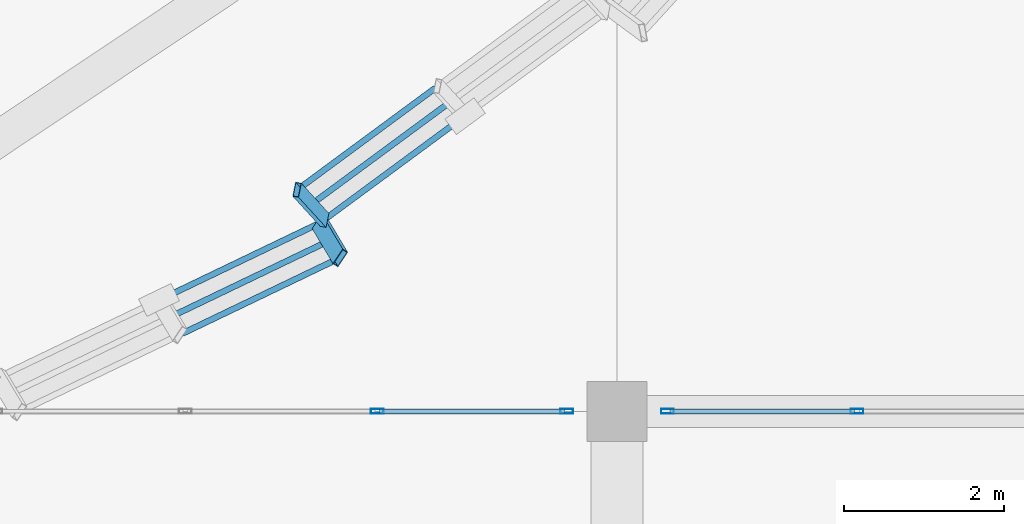
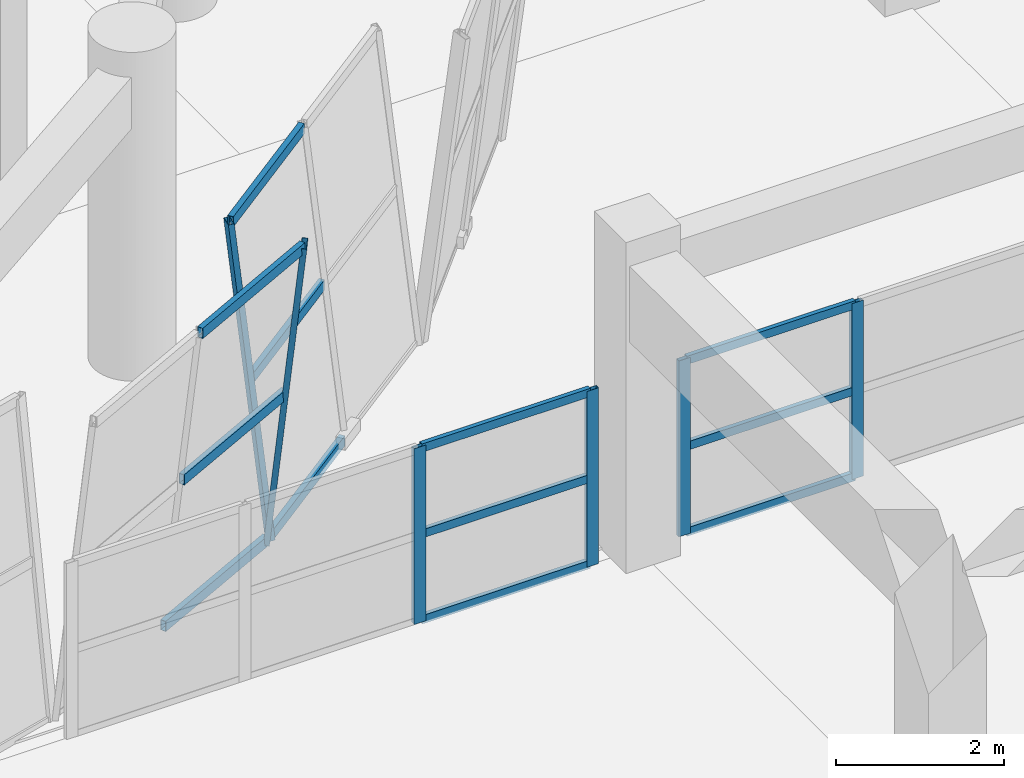
# One storey, part 25 of 72: 18 members, 4 elements without a shape of their own.
"""IFC4 building model written with IfcOpenShell, lengths in metres."""

from ifc_helpers import new_model, si_unit, direction, frame, origin, origin_2d, place, context, subcontext, project, spatial, hollow_rectangle, extrude, material, material_profile, profile_set, type_object, element, aggregate, save


model = new_model("IFC4")

# Units and contexts
model_context = context("Model", 3, precision=1e-05, world=origin(), true_north=direction((0.0, 1.0)))
body_context = subcontext(model_context, "Body", "Model", "MODEL_VIEW")
ifc_project = project(units=[si_unit("LENGTHUNIT", "METRE"), si_unit("AREAUNIT", "SQUARE_METRE"), si_unit("VOLUMEUNIT", "CUBIC_METRE"), si_unit("PLANEANGLEUNIT", "RADIAN"), si_unit("MASSUNIT", "GRAM", prefix="KILO")], contexts=[model_context])

# Site, building, storey
site_placement = place(None, origin())
site = spatial("IfcSite", under=ifc_project, at=site_placement, CompositionType="ELEMENT")
building_placement = place(site_placement, origin())
building = spatial("IfcBuilding", under=site, at=building_placement, Name="Korsvaeld Concert Hall", CompositionType="ELEMENT")
storey_placement = place(building_placement, origin())
storey = spatial("IfcBuildingStorey", under=building, at=storey_placement, Name="L00", CompositionType="ELEMENT", Elevation=0.0)

# Curtain wall, members
ifc_material_1 = material(Name="Anodised bronze and ceramic-fritted safety glass", Category="glass")
curtain_wall_type_1 = type_object("IfcCurtainWallType", Name="CW-TYPE-15", PredefinedType="USERDEFINED", material=ifc_material_1)
curtain_wall_1_placement = place(storey_placement, origin())
curtain_wall_1 = element("IfcCurtainWall", 1, at=curtain_wall_1_placement, inside=storey, type_object=curtain_wall_type_1, Name="Glazed foyer acoustic screen L00-23", ObjectType="CURTAIN WALL", PredefinedType="USERDEFINED")
ifc_material_2 = material(Name="Anodised architectural bronze aluminium", Category="aluminium")
ifc_material_profile_1 = material_profile(ifc_material_2, hollow_rectangle(XDim=0.06005859375, YDim=0.159912109375, WallThickness=0.00390625, at=origin_2d()), Name="CWM 160x60x4")
ifc_profile_set_1 = profile_set([ifc_material_profile_1], Name="Anodised architectural bronze aluminium")
member_type_1 = type_object("IfcMemberType", Name="CWM-ALUM-160x60", PredefinedType="MULLION", material=ifc_profile_set_1)
member_1_placement = place(storey_placement, frame((97.800048828125, 43.199951171875, 0.0), z_axis=(0.0, 0.0, 1.0), x_axis=(0.0, 1.0, 0.0)))
member_1 = element("IfcMember", 2, at=member_1_placement, type_object=member_type_1, Name="CW-15 mullion 3", PredefinedType="MULLION", context=body_context, shape_type="SweptSolid", body=[
    extrude(hollow_rectangle(XDim=0.06005859375, YDim=0.159912109375, WallThickness=0.00390625, at=origin_2d()), origin(), (0.0, 0.0, 1.0), 2.550048828125),
])
member_2_placement = place(storey_placement, frame((100.169921875, 43.199951171875, 0.0), z_axis=(0.0, 0.0, 1.0), x_axis=(0.0, 1.0, 0.0)))
member_2 = element("IfcMember", 3, at=member_2_placement, type_object=member_type_1, Name="CW-15 mullion 4", PredefinedType="MULLION", context=body_context, shape_type="SweptSolid", body=[
    extrude(hollow_rectangle(XDim=0.06005859375, YDim=0.159912109375, WallThickness=0.00390625, at=origin_2d()), origin(), (0.0, 0.0, 1.0), 2.550048828125),
])

curtain_wall_type_2 = type_object("IfcCurtainWallType", Name="CW-TYPE-08", PredefinedType="USERDEFINED", material=ifc_material_1)
curtain_wall_2_placement = place(storey_placement, origin())
curtain_wall_2 = element("IfcCurtainWall", 4, at=curtain_wall_2_placement, inside=storey, type_object=curtain_wall_type_2, Name="Glazed foyer acoustic screen L00-24", ObjectType="CURTAIN WALL", PredefinedType="USERDEFINED")
member_3_placement = place(storey_placement, frame((101.429931640625, 43.199951171875, 0.0), z_axis=(0.0, 0.0, 1.0), x_axis=(0.0, 1.0, 0.0)))
member_3 = element("IfcMember", 5, at=member_3_placement, type_object=member_type_1, Name="CW-08 mullion 1", PredefinedType="MULLION", context=body_context, shape_type="SweptSolid", body=[
    extrude(hollow_rectangle(XDim=0.06005859375, YDim=0.159912109375, WallThickness=0.00390625, at=origin_2d()), origin(), (0.0, 0.0, 1.0), 2.550048828125),
])
member_4_placement = place(storey_placement, frame((103.800048828125, 43.199951171875, 0.0), z_axis=(0.0, 0.0, 1.0), x_axis=(0.0, 1.0, 0.0)))
member_4 = element("IfcMember", 6, at=member_4_placement, type_object=member_type_1, Name="CW-08 mullion 2", PredefinedType="MULLION", context=body_context, shape_type="SweptSolid", body=[
    extrude(hollow_rectangle(XDim=0.06005859375, YDim=0.159912109375, WallThickness=0.00390625, at=origin_2d()), origin(), (0.0, 0.0, 1.0), 2.550048828125),
])

# Curtain wall, member
curtain_wall_type_3 = type_object("IfcCurtainWallType", Name="CW-TYPE-04", PredefinedType="USERDEFINED", material=ifc_material_1)
curtain_wall_3_placement = place(storey_placement, origin())
curtain_wall_3 = element("IfcCurtainWall", 7, at=curtain_wall_3_placement, inside=storey, type_object=curtain_wall_type_3, Name="Crystal curtain-wall facet L00 F28", ObjectType="CURTAIN WALL", PredefinedType="USERDEFINED")
ifc_material_profile_2 = material_profile(ifc_material_2, hollow_rectangle(XDim=0.074951171875, YDim=0.179931640625, WallThickness=0.0048828125, at=origin_2d()), Name="CWM 180x75x5")
ifc_profile_set_2 = profile_set([ifc_material_profile_2], Name="Anodised architectural bronze aluminium")
member_type_2 = type_object("IfcMemberType", Name="CWM-BRONZE-180x75", PredefinedType="MULLION", material=ifc_profile_set_2)
member_5_placement = place(storey_placement, frame((97.1416015625, 45.594970703125, 0.0), z_axis=(-0.076345198991, 0.083600700172, 0.99357049751), x_axis=(0.977470985896, -0.190384528217, 0.091127400637)))
member_5 = element("IfcMember", 8, at=member_5_placement, type_object=member_type_2, Name="CW-CRYS-L00-F28 crystal mullion 1", PredefinedType="MULLION", context=body_context, shape_type="SweptSolid", body=[
    extrude(hollow_rectangle(XDim=0.074951171875, YDim=0.179931640625, WallThickness=0.0048828125, at=origin_2d()), origin(), (0.0, 0.0, 1.0), 4.509033203125),
])

curtain_wall_type_4 = type_object("IfcCurtainWallType", Name="CW-TYPE-03", PredefinedType="USERDEFINED", material=ifc_material_1)
curtain_wall_4_placement = place(storey_placement, origin())
curtain_wall_4 = element("IfcCurtainWall", 9, at=curtain_wall_4_placement, inside=storey, type_object=curtain_wall_type_4, Name="Crystal curtain-wall facet L00 F27", ObjectType="CURTAIN WALL", PredefinedType="USERDEFINED")
ifc_material_profile_3 = material_profile(ifc_material_2, hollow_rectangle(XDim=0.074951171875, YDim=0.219970703125, WallThickness=0.006103515625, at=origin_2d()), Name="CWM 220x75x6")
ifc_profile_set_3 = profile_set([ifc_material_profile_3], Name="Anodised architectural bronze aluminium")
member_type_3 = type_object("IfcMemberType", Name="CWM-BRONZE-220x75", PredefinedType="MULLION", material=ifc_profile_set_3)
member_6_placement = place(storey_placement, frame((97.07763671875, 45.556640625, 0.0), z_axis=(0.057881578452, -0.097299528979, 0.993570593635), x_axis=(-0.829903337454, 0.548492598396, 0.102060374227)))
member_6 = element("IfcMember", 10, at=member_6_placement, type_object=member_type_3, Name="CW-CRYS-L00-F27 crystal mullion 3", PredefinedType="MULLION", context=body_context, shape_type="SweptSolid", body=[
    extrude(hollow_rectangle(XDim=0.074951171875, YDim=0.219970703125, WallThickness=0.006103515625, at=origin_2d()), origin(), (0.0, 0.0, 1.0), 4.509033203125),
])

# Member
ifc_material_profile_4 = material_profile(ifc_material_2, hollow_rectangle(XDim=0.06005859375, YDim=0.1201171875, WallThickness=0.00390625, at=origin_2d()), Name="CWT 120x60x4")
ifc_profile_set_4 = profile_set([ifc_material_profile_4], Name="Anodised architectural bronze aluminium")
member_type_4 = type_object("IfcMemberType", Name="CWT-ALUM-120x60", PredefinedType="USERDEFINED", material=ifc_profile_set_4)
member_7_placement = place(storey_placement, frame((97.830078125, 43.199951171875, 0.030029296875), z_axis=(1.0, 0.0, 0.0), x_axis=(0.0, 1.0, 0.0)))
member_7 = element("IfcMember", 11, at=member_7_placement, type_object=member_type_4, Name="CW-15 transom 3.1", ObjectType="TRANSOM", PredefinedType="USERDEFINED", context=body_context, shape_type="SweptSolid", body=[
    extrude(hollow_rectangle(XDim=0.06005859375, YDim=0.1201171875, WallThickness=0.00390625, at=origin_2d()), origin(), (0.0, 0.0, 1.0), 2.309814453125),
])

member_8_placement = place(storey_placement, frame((97.830078125, 43.199951171875, 1.27490234375), z_axis=(1.0, 0.0, 0.0), x_axis=(0.0, 1.0, 0.0)))
member_8 = element("IfcMember", 12, at=member_8_placement, type_object=member_type_4, Name="CW-15 transom 3.2", ObjectType="TRANSOM", PredefinedType="USERDEFINED", context=body_context, shape_type="SweptSolid", body=[
    extrude(hollow_rectangle(XDim=0.06005859375, YDim=0.1201171875, WallThickness=0.00390625, at=origin_2d()), origin(), (0.0, 0.0, 1.0), 2.309814453125),
])

member_9_placement = place(storey_placement, frame((97.830078125, 43.199951171875, 2.52001953125), z_axis=(1.0, 0.0, 0.0), x_axis=(0.0, 1.0, 0.0)))
member_9 = element("IfcMember", 13, at=member_9_placement, type_object=member_type_4, Name="CW-15 transom 3.3", ObjectType="TRANSOM", PredefinedType="USERDEFINED", context=body_context, shape_type="SweptSolid", body=[
    extrude(hollow_rectangle(XDim=0.06005859375, YDim=0.1201171875, WallThickness=0.00390625, at=origin_2d()), origin(), (0.0, 0.0, 1.0), 2.309814453125),
])

aggregate(curtain_wall_1, [member_1, member_2, member_7, member_8, member_9])

member_10_placement = place(storey_placement, frame((101.4599609375, 43.199951171875, 0.030029296875), z_axis=(1.0, 0.0, 0.0), x_axis=(0.0, 1.0, 0.0)))
member_10 = element("IfcMember", 14, at=member_10_placement, type_object=member_type_4, Name="CW-08 transom 1.1", ObjectType="TRANSOM", PredefinedType="USERDEFINED", context=body_context, shape_type="SweptSolid", body=[
    extrude(hollow_rectangle(XDim=0.06005859375, YDim=0.1201171875, WallThickness=0.00390625, at=origin_2d()), origin(), (0.0, 0.0, 1.0), 2.31005859375),
])

member_11_placement = place(storey_placement, frame((101.4599609375, 43.199951171875, 1.27490234375), z_axis=(1.0, 0.0, 0.0), x_axis=(0.0, 1.0, 0.0)))
member_11 = element("IfcMember", 15, at=member_11_placement, type_object=member_type_4, Name="CW-08 transom 1.2", ObjectType="TRANSOM", PredefinedType="USERDEFINED", context=body_context, shape_type="SweptSolid", body=[
    extrude(hollow_rectangle(XDim=0.06005859375, YDim=0.1201171875, WallThickness=0.00390625, at=origin_2d()), origin(), (0.0, 0.0, 1.0), 2.31005859375),
])

member_12_placement = place(storey_placement, frame((101.4599609375, 43.199951171875, 2.52001953125), z_axis=(1.0, 0.0, 0.0), x_axis=(0.0, 1.0, 0.0)))
member_12 = element("IfcMember", 16, at=member_12_placement, type_object=member_type_4, Name="CW-08 transom 1.3", ObjectType="TRANSOM", PredefinedType="USERDEFINED", context=body_context, shape_type="SweptSolid", body=[
    extrude(hollow_rectangle(XDim=0.06005859375, YDim=0.1201171875, WallThickness=0.00390625, at=origin_2d()), origin(), (0.0, 0.0, 1.0), 2.31005859375),
])

aggregate(curtain_wall_2, [member_3, member_4, member_10, member_11, member_12])

ifc_material_profile_5 = material_profile(ifc_material_2, hollow_rectangle(XDim=0.074951171875, YDim=0.14990234375, WallThickness=0.0048828125, at=origin_2d()), Name="CWT 150x75x5")
ifc_profile_set_5 = profile_set([ifc_material_profile_5], Name="Anodised architectural bronze aluminium")
member_type_5 = type_object("IfcMemberType", Name="CWT-BRONZE-150x75", PredefinedType="USERDEFINED", material=ifc_profile_set_5)
member_13_placement = place(storey_placement, frame((95.10693359375, 44.606689453125, 0.030029296875), z_axis=(0.901508884705, 0.432760592935, 0.0), x_axis=(-0.432760592935, 0.901508884705, 0.0)))
member_13 = element("IfcMember", 17, at=member_13_placement, type_object=member_type_5, Name="CW-CRYS-L00-F27 crystal transom 2.1", ObjectType="TRANSOM", PredefinedType="USERDEFINED", context=body_context, shape_type="SweptSolid", body=[
    extrude(hollow_rectangle(XDim=0.074951171875, YDim=0.14990234375, WallThickness=0.0048828125, at=origin_2d()), origin(), (0.0, 0.0, 1.0), 2.150634765625),
])

member_14_placement = place(storey_placement, frame((95.235595703125, 44.39013671875, 2.239990234375), z_axis=(0.901464591462, 0.432852850679, 0.0), x_axis=(-0.432852850679, 0.901464591462, 0.0)))
member_14 = element("IfcMember", 18, at=member_14_placement, type_object=member_type_5, Name="CW-CRYS-L00-F27 crystal transom 2.2", ObjectType="TRANSOM", PredefinedType="USERDEFINED", context=body_context, shape_type="SweptSolid", body=[
    extrude(hollow_rectangle(XDim=0.074951171875, YDim=0.14990234375, WallThickness=0.0048828125, at=origin_2d()), origin(), (0.0, 0.0, 1.0), 2.150634765625),
])

member_15_placement = place(storey_placement, frame((95.364501953125, 44.173828125, 4.449951171875), z_axis=(0.901464591462, 0.432852850679, 0.0), x_axis=(-0.432852850679, 0.901464591462, 0.0)))
member_15 = element("IfcMember", 19, at=member_15_placement, type_object=member_type_5, Name="CW-CRYS-L00-F27 crystal transom 2.3", ObjectType="TRANSOM", PredefinedType="USERDEFINED", context=body_context, shape_type="SweptSolid", body=[
    extrude(hollow_rectangle(XDim=0.074951171875, YDim=0.14990234375, WallThickness=0.0048828125, at=origin_2d()), origin(), (0.0, 0.0, 1.0), 2.150634765625),
])

aggregate(curtain_wall_4, [member_6, member_13, member_14, member_15])

member_16_placement = place(storey_placement, frame((97.169677734375, 45.619873046875, 0.030029296875), z_axis=(0.804904507896, 0.593404358906, 0.0), x_axis=(-0.593404358906, 0.804904507896, 0.0)))
member_16 = element("IfcMember", 20, at=member_16_placement, type_object=member_type_5, Name="CW-CRYS-L00-F28 crystal transom 1.1", ObjectType="TRANSOM", PredefinedType="USERDEFINED", context=body_context, shape_type="SweptSolid", body=[
    extrude(hollow_rectangle(XDim=0.074951171875, YDim=0.14990234375, WallThickness=0.0048828125, at=origin_2d()), origin(), (0.0, 0.0, 1.0), 2.10888671875),
])

member_17_placement = place(storey_placement, frame((96.999755859375, 45.8056640625, 2.239990234375), z_axis=(0.804904507896, 0.593404358906, 0.0), x_axis=(-0.593404358906, 0.804904507896, 0.0)))
member_17 = element("IfcMember", 21, at=member_17_placement, type_object=member_type_5, Name="CW-CRYS-L00-F28 crystal transom 1.2", ObjectType="TRANSOM", PredefinedType="USERDEFINED", context=body_context, shape_type="SweptSolid", body=[
    extrude(hollow_rectangle(XDim=0.074951171875, YDim=0.14990234375, WallThickness=0.0048828125, at=origin_2d()), origin(), (0.0, 0.0, 1.0), 2.10888671875),
])

member_18_placement = place(storey_placement, frame((96.829833984375, 45.99169921875, 4.449951171875), z_axis=(0.804904507896, 0.593404358906, 0.0), x_axis=(-0.593404358906, 0.804904507896, 0.0)))
member_18 = element("IfcMember", 22, at=member_18_placement, type_object=member_type_5, Name="CW-CRYS-L00-F28 crystal transom 1.3", ObjectType="TRANSOM", PredefinedType="USERDEFINED", context=body_context, shape_type="SweptSolid", body=[
    extrude(hollow_rectangle(XDim=0.074951171875, YDim=0.14990234375, WallThickness=0.0048828125, at=origin_2d()), origin(), (0.0, 0.0, 1.0), 2.10888671875),
])

aggregate(curtain_wall_3, [member_5, member_16, member_17, member_18])

save(model, "model.ifc")
